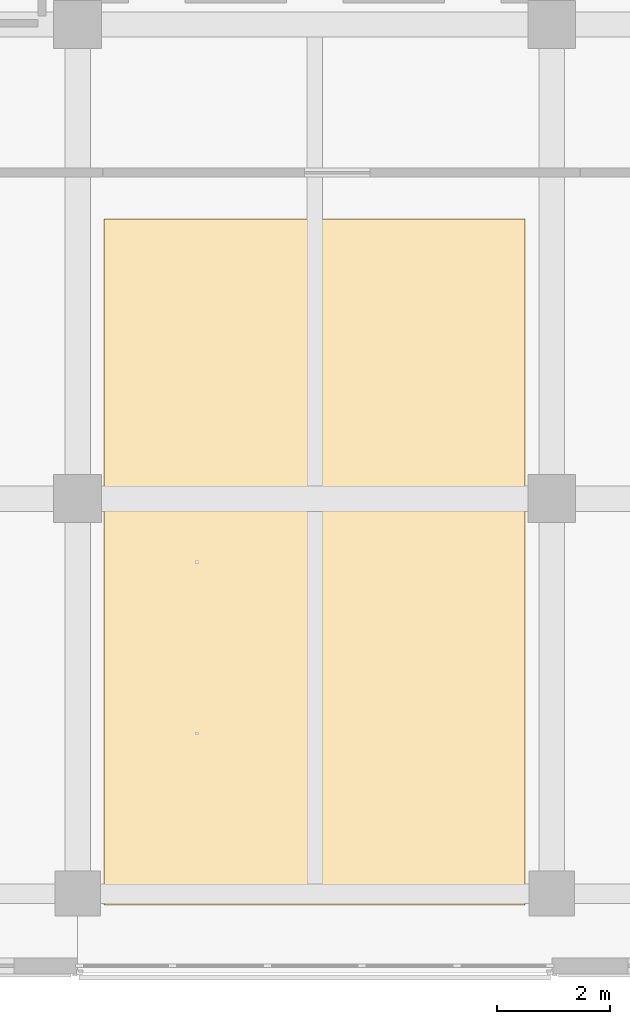
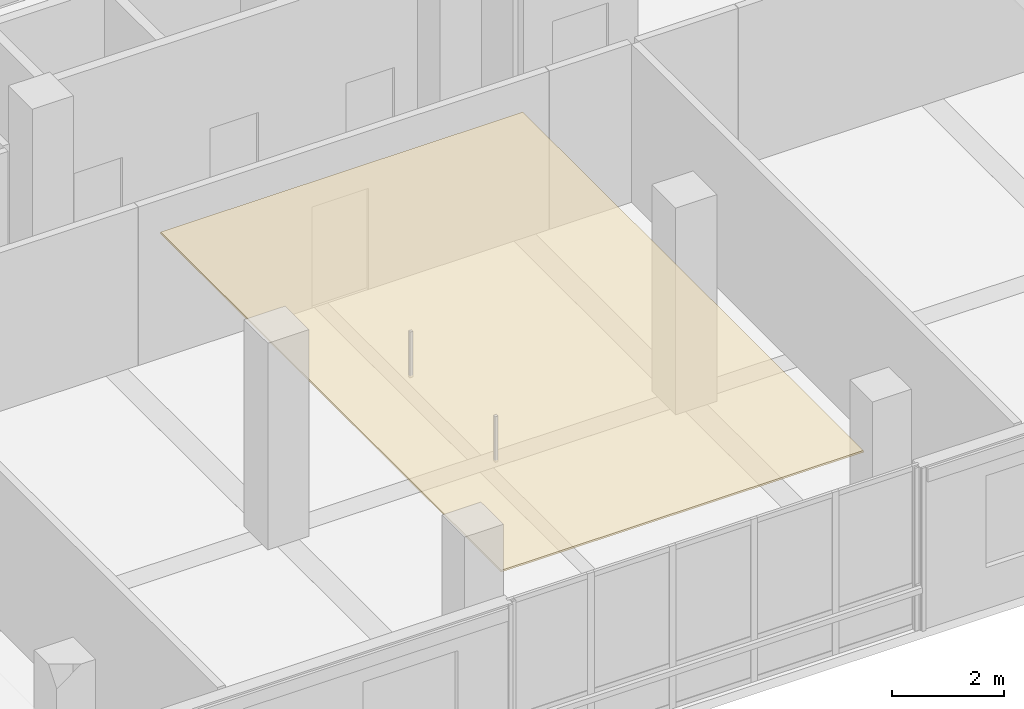
# One storey, part 25 of 36: 1 covering.
"""IFC4 building model written with IfcOpenShell, lengths in metres."""

from ifc_helpers import new_model, si_unit, direction, frame, origin, place, context, subcontext, project, spatial, polyline, outline, extrude, material, layer, layer_set, type_object, element, save


model = new_model("IFC4")

# Units and contexts
model_context = context("Model", 3, precision=1e-05, world=origin(), true_north=direction((0.0, 1.0)))
body_context = subcontext(model_context, "Body", "Model", "MODEL_VIEW")
ifc_project = project(units=[si_unit("LENGTHUNIT", "METRE"), si_unit("AREAUNIT", "SQUARE_METRE"), si_unit("VOLUMEUNIT", "CUBIC_METRE"), si_unit("PLANEANGLEUNIT", "RADIAN"), si_unit("MASSUNIT", "GRAM", prefix="KILO")], contexts=[model_context])

# Site, building, storey
site_placement = place(None, origin())
site = spatial("IfcSite", under=ifc_project, at=site_placement, CompositionType="ELEMENT")
building_placement = place(site_placement, origin())
building = spatial("IfcBuilding", under=site, at=building_placement, Name="Telukmera Botanical Conservatory", CompositionType="ELEMENT")
storey_placement = place(building_placement, frame((0.0, 0.0, 33.0)))
storey = spatial("IfcBuildingStorey", under=building, at=storey_placement, Name="L07", CompositionType="ELEMENT", Elevation=33.0)

# Covering
ifc_material = material(Name="Perforated gypsum acoustic ceiling")
ifc_layer = layer(ifc_material, 0.0400390625)
ifc_layer_set = layer_set([ifc_layer], Name="Perforated gypsum acoustic ceiling")
covering_type = type_object("IfcCoveringType", Name="COV-CEIL-40", PredefinedType="CEILING", material=ifc_layer_set)
covering_placement = place(storey_placement, frame((0.0, 0.0, 3.31005859375)))
element("IfcCovering", 1, at=covering_placement, inside=storey, type_object=covering_type, Name="L07 Research Laboratory Suspended Acoustic Ceiling", PredefinedType="CEILING", context=body_context, shape_type="SweptSolid", body=[
    extrude(outline(polyline([(76.070068359375, 10.39990234375), (83.530029296875, 10.39990234375), (83.530029296875, 22.550048828125), (76.070068359375, 22.550048828125), (76.070068359375, 10.39990234375)])), origin(), (0.0, 0.0, 1.0), 0.0400390625),
])

save(model, "model.ifc")
